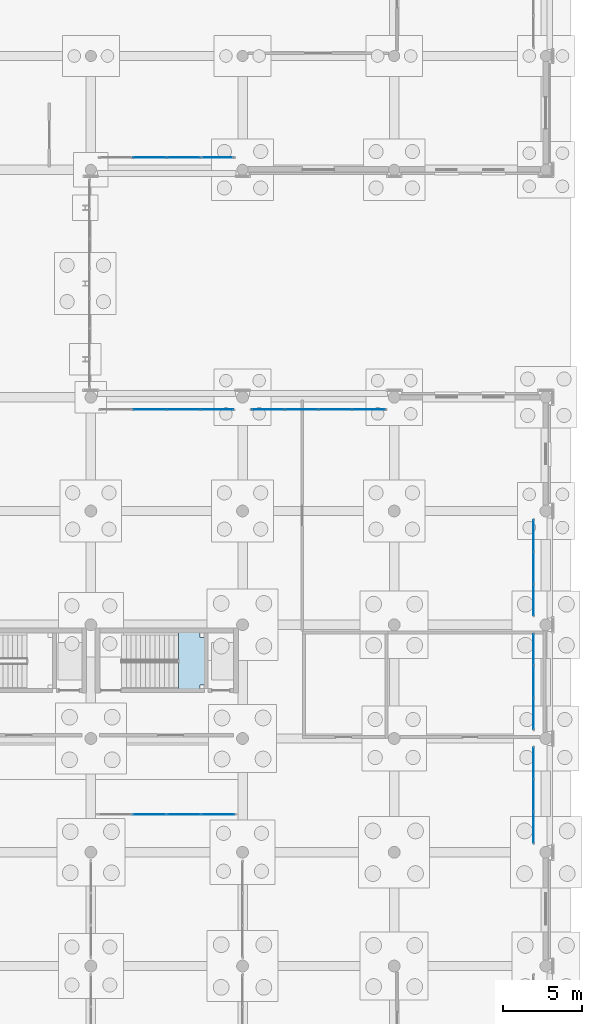
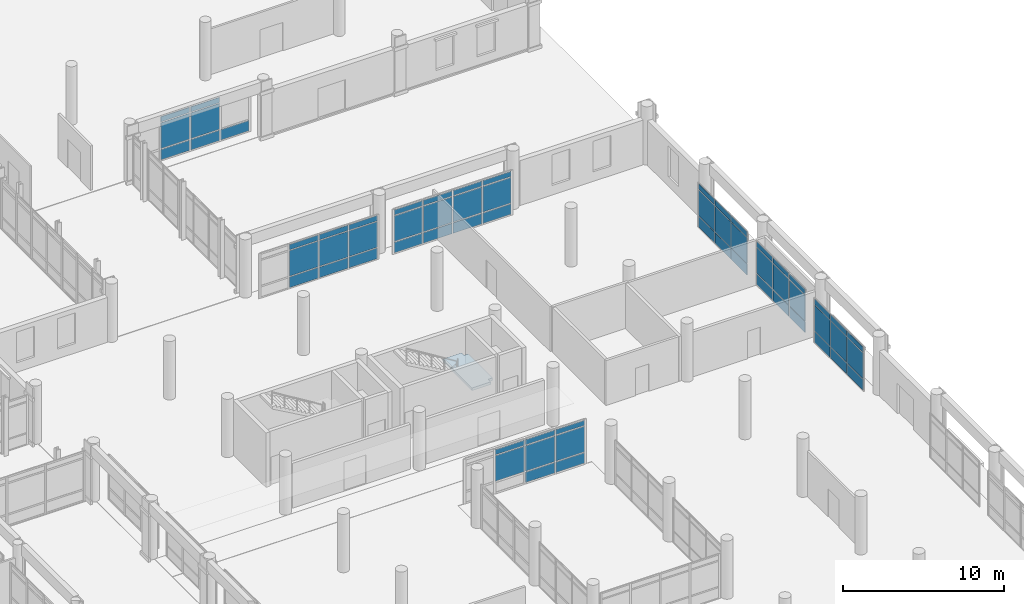
# One storey, part 156 of 196: 63 plates, 1 slab, 8 elements without a shape of their own.
"""IFC4 building model written with IfcOpenShell, lengths in metres."""

from ifc_helpers import new_model, si_unit, direction, frame, origin, origin_2d, place, context, subcontext, project, spatial, polyline, rectangle, outline, extrude, material, layer, layer_set, type_object, element, aggregate, save


model = new_model("IFC4")

# Units and contexts
model_context = context("Model", 3, precision=1e-05, world=origin(), true_north=direction((0.0, 1.0)))
body_context = subcontext(model_context, "Body", "Model", "MODEL_VIEW")
ifc_project = project(units=[si_unit("LENGTHUNIT", "METRE"), si_unit("AREAUNIT", "SQUARE_METRE"), si_unit("VOLUMEUNIT", "CUBIC_METRE"), si_unit("PLANEANGLEUNIT", "RADIAN"), si_unit("MASSUNIT", "GRAM", prefix="KILO")], contexts=[model_context])

# Site, building, storey
site_placement = place(None, origin())
site = spatial("IfcSite", under=ifc_project, at=site_placement, CompositionType="ELEMENT")
building_placement = place(site_placement, origin())
building = spatial("IfcBuilding", under=site, at=building_placement, Name="Asteropetra Specialist Clinic", CompositionType="ELEMENT")
storey_placement = place(building_placement, origin())
storey = spatial("IfcBuildingStorey", under=building, at=storey_placement, Name="L00", CompositionType="ELEMENT", Elevation=0.0)

# Curtain wall, plates
ifc_material_1 = material(Name="Aluminium and low-E glass", Category="aluminium")
ifc_layer_1 = layer(ifc_material_1, 0.135009765625)
ifc_layer_set_1 = layer_set([ifc_layer_1], Name="Aluminium and low-E glass")
curtain_wall_type_1 = type_object("IfcCurtainWallType", Name="CW-SYS-09", PredefinedType="USERDEFINED", material=ifc_layer_set_1)
curtain_wall_1_placement = place(storey_placement, origin())
curtain_wall_1 = element("IfcCurtainWall", 1, at=curtain_wall_1_placement, inside=storey, type_object=curtain_wall_type_1, Name="Curtain Wall CW-193", ObjectType="STICK GLAZED COLONNADE", PredefinedType="USERDEFINED")
ifc_material_2 = material(Name="Low-E acoustic double glazing", Category="glass")
ifc_layer_2 = layer(ifc_material_2, 0.031982421875)
ifc_layer_set_2 = layer_set([ifc_layer_2], Name="Low-E acoustic double glazing")
plate_type_1 = type_object("IfcPlateType", Name="CWP-GLZ-32", PredefinedType="CURTAIN_PANEL", material=ifc_layer_set_2)
plate_1_placement = place(storey_placement, frame((132.782470703125, 61.6201171875, 0.06494140625), z_axis=(0.0, 0.0, 1.0), x_axis=(-1.0, 0.0, 0.0)))
plate_1 = element("IfcPlate", 2, at=plate_1_placement, type_object=plate_type_1, Name="CW-193 panel 1.1", PredefinedType="CURTAIN_PANEL", context=body_context, shape_type="SweptSolid", body=[
    extrude(rectangle(XDim=2.034912109375, YDim=0.031982421875, at=origin_2d()), origin(), (0.0, 0.0, 1.0), 0.802490234375),
])
plate_2_placement = place(storey_placement, frame((132.782470703125, 61.6201171875, 0.932373046875), z_axis=(0.0, 0.0, 1.0), x_axis=(-1.0, 0.0, 0.0)))
plate_2 = element("IfcPlate", 3, at=plate_2_placement, type_object=plate_type_1, Name="CW-193 panel 1.2", PredefinedType="CURTAIN_PANEL", context=body_context, shape_type="SweptSolid", body=[
    extrude(rectangle(XDim=2.034912109375, YDim=0.031982421875, at=origin_2d()), origin(), (0.0, 0.0, 1.0), 1.93505859375),
])
plate_3_placement = place(storey_placement, frame((132.782470703125, 61.6201171875, 2.9326171875), z_axis=(0.0, 0.0, 1.0), x_axis=(-1.0, 0.0, 0.0)))
plate_3 = element("IfcPlate", 4, at=plate_3_placement, type_object=plate_type_1, Name="CW-193 panel 1.3", PredefinedType="CURTAIN_PANEL", context=body_context, shape_type="SweptSolid", body=[
    extrude(rectangle(XDim=2.034912109375, YDim=0.031982421875, at=origin_2d()), origin(), (0.0, 0.0, 1.0), 0.402587890625),
])
plate_4_placement = place(storey_placement, frame((130.666259765625, 61.6201171875, 0.06494140625), z_axis=(0.0, 0.0, 1.0), x_axis=(-1.0, 0.0, 0.0)))
plate_4 = element("IfcPlate", 5, at=plate_4_placement, type_object=plate_type_1, Name="CW-193 panel 2.1", PredefinedType="CURTAIN_PANEL", context=body_context, shape_type="SweptSolid", body=[
    extrude(rectangle(XDim=2.0673828125, YDim=0.031982421875, at=origin_2d()), origin(), (0.0, 0.0, 1.0), 0.802490234375),
])
plate_5_placement = place(storey_placement, frame((130.666259765625, 61.6201171875, 0.932373046875), z_axis=(0.0, 0.0, 1.0), x_axis=(-1.0, 0.0, 0.0)))
plate_5 = element("IfcPlate", 6, at=plate_5_placement, type_object=plate_type_1, Name="CW-193 panel 2.2", PredefinedType="CURTAIN_PANEL", context=body_context, shape_type="SweptSolid", body=[
    extrude(rectangle(XDim=2.0673828125, YDim=0.031982421875, at=origin_2d()), origin(), (0.0, 0.0, 1.0), 1.93505859375),
])
plate_6_placement = place(storey_placement, frame((130.666259765625, 61.6201171875, 2.9326171875), z_axis=(0.0, 0.0, 1.0), x_axis=(-1.0, 0.0, 0.0)))
plate_6 = element("IfcPlate", 7, at=plate_6_placement, type_object=plate_type_1, Name="CW-193 panel 2.3", PredefinedType="CURTAIN_PANEL", context=body_context, shape_type="SweptSolid", body=[
    extrude(rectangle(XDim=2.0673828125, YDim=0.031982421875, at=origin_2d()), origin(), (0.0, 0.0, 1.0), 0.402587890625),
])
plate_7_placement = place(storey_placement, frame((128.53369140625, 61.6201171875, 0.06494140625), z_axis=(0.0, 0.0, 1.0), x_axis=(-1.0, 0.0, 0.0)))
plate_7 = element("IfcPlate", 8, at=plate_7_placement, type_object=plate_type_1, Name="CW-193 panel 3.1", PredefinedType="CURTAIN_PANEL", context=body_context, shape_type="SweptSolid", body=[
    extrude(rectangle(XDim=2.0673828125, YDim=0.031982421875, at=origin_2d()), origin(), (0.0, 0.0, 1.0), 0.802490234375),
])
plate_8_placement = place(storey_placement, frame((128.53369140625, 61.6201171875, 0.932373046875), z_axis=(0.0, 0.0, 1.0), x_axis=(-1.0, 0.0, 0.0)))
plate_8 = element("IfcPlate", 9, at=plate_8_placement, type_object=plate_type_1, Name="CW-193 panel 3.2", PredefinedType="CURTAIN_PANEL", context=body_context, shape_type="SweptSolid", body=[
    extrude(rectangle(XDim=2.0673828125, YDim=0.031982421875, at=origin_2d()), origin(), (0.0, 0.0, 1.0), 1.93505859375),
])
plate_9_placement = place(storey_placement, frame((128.53369140625, 61.6201171875, 2.9326171875), z_axis=(0.0, 0.0, 1.0), x_axis=(-1.0, 0.0, 0.0)))
plate_9 = element("IfcPlate", 10, at=plate_9_placement, type_object=plate_type_1, Name="CW-193 panel 3.3", PredefinedType="CURTAIN_PANEL", context=body_context, shape_type="SweptSolid", body=[
    extrude(rectangle(XDim=2.0673828125, YDim=0.031982421875, at=origin_2d()), origin(), (0.0, 0.0, 1.0), 0.402587890625),
])
aggregate(curtain_wall_1, [plate_1, plate_2, plate_3, plate_4, plate_5, plate_6, plate_7, plate_8, plate_9])

ifc_material_3 = material(Name="Aluminium and low-E glass", Category="aluminium")
ifc_layer_3 = layer(ifc_material_3, 0.179931640625)
ifc_layer_set_3 = layer_set([ifc_layer_3], Name="Aluminium and low-E glass")
curtain_wall_type_2 = type_object("IfcCurtainWallType", Name="CW-SYS-10", PredefinedType="USERDEFINED", material=ifc_layer_set_3)
curtain_wall_2_placement = place(storey_placement, origin())
curtain_wall_2 = element("IfcCurtainWall", 11, at=curtain_wall_2_placement, inside=storey, type_object=curtain_wall_type_2, Name="Curtain Wall CW-205", ObjectType="STICK GLAZED COLONNADE", PredefinedType="USERDEFINED")
plate_10_placement = place(storey_placement, frame((152.820068359375, 42.372802734375, 0.06494140625), z_axis=(0.0, 0.0, 1.0), x_axis=(0.0, 1.0, 0.0)))
plate_10 = element("IfcPlate", 12, at=plate_10_placement, type_object=plate_type_1, Name="CW-205 panel 1.1", PredefinedType="CURTAIN_PANEL", context=body_context, shape_type="SweptSolid", body=[
    extrude(rectangle(XDim=1.94580078125, YDim=0.031982421875, at=origin_2d()), origin(), (0.0, 0.0, 1.0), 0.802490234375),
])
plate_11_placement = place(storey_placement, frame((152.820068359375, 42.372802734375, 0.932373046875), z_axis=(0.0, 0.0, 1.0), x_axis=(0.0, 1.0, 0.0)))
plate_11 = element("IfcPlate", 13, at=plate_11_placement, type_object=plate_type_1, Name="CW-205 panel 1.2", PredefinedType="CURTAIN_PANEL", context=body_context, shape_type="SweptSolid", body=[
    extrude(rectangle(XDim=1.94580078125, YDim=0.031982421875, at=origin_2d()), origin(), (0.0, 0.0, 1.0), 1.93505859375),
])
plate_12_placement = place(storey_placement, frame((152.820068359375, 42.372802734375, 2.9326171875), z_axis=(0.0, 0.0, 1.0), x_axis=(0.0, 1.0, 0.0)))
plate_12 = element("IfcPlate", 14, at=plate_12_placement, type_object=plate_type_1, Name="CW-205 panel 1.3", PredefinedType="CURTAIN_PANEL", context=body_context, shape_type="SweptSolid", body=[
    extrude(rectangle(XDim=1.94580078125, YDim=0.031982421875, at=origin_2d()), origin(), (0.0, 0.0, 1.0), 0.402587890625),
])
plate_13_placement = place(storey_placement, frame((152.820068359375, 44.39990234375, 0.06494140625), z_axis=(0.0, 0.0, 1.0), x_axis=(0.0, 1.0, 0.0)))
plate_13 = element("IfcPlate", 15, at=plate_13_placement, type_object=plate_type_1, Name="CW-205 panel 2.1", PredefinedType="CURTAIN_PANEL", context=body_context, shape_type="SweptSolid", body=[
    extrude(rectangle(XDim=1.978271484375, YDim=0.031982421875, at=origin_2d()), origin(), (0.0, 0.0, 1.0), 0.802490234375),
])
plate_14_placement = place(storey_placement, frame((152.820068359375, 44.39990234375, 0.932373046875), z_axis=(0.0, 0.0, 1.0), x_axis=(0.0, 1.0, 0.0)))
plate_14 = element("IfcPlate", 16, at=plate_14_placement, type_object=plate_type_1, Name="CW-205 panel 2.2", PredefinedType="CURTAIN_PANEL", context=body_context, shape_type="SweptSolid", body=[
    extrude(rectangle(XDim=1.978271484375, YDim=0.031982421875, at=origin_2d()), origin(), (0.0, 0.0, 1.0), 1.93505859375),
])
plate_15_placement = place(storey_placement, frame((152.820068359375, 44.39990234375, 2.9326171875), z_axis=(0.0, 0.0, 1.0), x_axis=(0.0, 1.0, 0.0)))
plate_15 = element("IfcPlate", 17, at=plate_15_placement, type_object=plate_type_1, Name="CW-205 panel 2.3", PredefinedType="CURTAIN_PANEL", context=body_context, shape_type="SweptSolid", body=[
    extrude(rectangle(XDim=1.978271484375, YDim=0.031982421875, at=origin_2d()), origin(), (0.0, 0.0, 1.0), 0.402587890625),
])
plate_16_placement = place(storey_placement, frame((152.820068359375, 46.427001953125, 0.06494140625), z_axis=(0.0, 0.0, 1.0), x_axis=(0.0, 1.0, 0.0)))
plate_16 = element("IfcPlate", 18, at=plate_16_placement, type_object=plate_type_1, Name="CW-205 panel 3.1", PredefinedType="CURTAIN_PANEL", context=body_context, shape_type="SweptSolid", body=[
    extrude(rectangle(XDim=1.94580078125, YDim=0.031982421875, at=origin_2d()), origin(), (0.0, 0.0, 1.0), 0.802490234375),
])
plate_17_placement = place(storey_placement, frame((152.820068359375, 46.427001953125, 0.932373046875), z_axis=(0.0, 0.0, 1.0), x_axis=(0.0, 1.0, 0.0)))
plate_17 = element("IfcPlate", 19, at=plate_17_placement, type_object=plate_type_1, Name="CW-205 panel 3.2", PredefinedType="CURTAIN_PANEL", context=body_context, shape_type="SweptSolid", body=[
    extrude(rectangle(XDim=1.94580078125, YDim=0.031982421875, at=origin_2d()), origin(), (0.0, 0.0, 1.0), 1.93505859375),
])
plate_18_placement = place(storey_placement, frame((152.820068359375, 46.427001953125, 2.9326171875), z_axis=(0.0, 0.0, 1.0), x_axis=(0.0, 1.0, 0.0)))
plate_18 = element("IfcPlate", 20, at=plate_18_placement, type_object=plate_type_1, Name="CW-205 panel 3.3", PredefinedType="CURTAIN_PANEL", context=body_context, shape_type="SweptSolid", body=[
    extrude(rectangle(XDim=1.94580078125, YDim=0.031982421875, at=origin_2d()), origin(), (0.0, 0.0, 1.0), 0.402587890625),
])
aggregate(curtain_wall_2, [plate_10, plate_11, plate_12, plate_13, plate_14, plate_15, plate_16, plate_17, plate_18])

curtain_wall_3_placement = place(storey_placement, origin())
curtain_wall_3 = element("IfcCurtainWall", 21, at=curtain_wall_3_placement, inside=storey, type_object=curtain_wall_type_1, Name="Curtain Wall CW-066", ObjectType="STICK GLAZED COLONNADE", PredefinedType="USERDEFINED")
ifc_material_4 = material(Name="Solar-control triple glazing", Category="glass")
ifc_layer_4 = layer(ifc_material_4, 0.035888671875)
ifc_layer_set_4 = layer_set([ifc_layer_4], Name="Solar-control triple glazing")
plate_type_2 = type_object("IfcPlateType", Name="CWP-GLZ-36", PredefinedType="CURTAIN_PANEL", material=ifc_layer_set_4)
plate_19_placement = place(storey_placement, frame((132.851318359375, 36.0, 0.074951171875), z_axis=(0.0, 0.0, 1.0), x_axis=(-1.0, 0.0, 0.0)))
plate_19 = element("IfcPlate", 22, at=plate_19_placement, type_object=plate_type_2, Name="CW-066 panel 1.1", PredefinedType="CURTAIN_PANEL", context=body_context, shape_type="SweptSolid", body=[
    extrude(rectangle(XDim=2.0673828125, YDim=0.035888671875, at=origin_2d()), origin(), (0.0, 0.0, 1.0), 0.78759765625),
])
plate_20_placement = place(storey_placement, frame((132.851318359375, 36.0, 0.9375), z_axis=(0.0, 0.0, 1.0), x_axis=(-1.0, 0.0, 0.0)))
plate_20 = element("IfcPlate", 23, at=plate_20_placement, type_object=plate_type_2, Name="CW-066 panel 1.2", PredefinedType="CURTAIN_PANEL", context=body_context, shape_type="SweptSolid", body=[
    extrude(rectangle(XDim=2.0673828125, YDim=0.035888671875, at=origin_2d()), origin(), (0.0, 0.0, 1.0), 1.925048828125),
])
plate_21_placement = place(storey_placement, frame((132.851318359375, 36.0, 2.9375), z_axis=(0.0, 0.0, 1.0), x_axis=(-1.0, 0.0, 0.0)))
plate_21 = element("IfcPlate", 24, at=plate_21_placement, type_object=plate_type_2, Name="CW-066 panel 1.3", PredefinedType="CURTAIN_PANEL", context=body_context, shape_type="SweptSolid", body=[
    extrude(rectangle(XDim=2.0673828125, YDim=0.035888671875, at=origin_2d()), origin(), (0.0, 0.0, 1.0), 0.387451171875),
])
plate_22_placement = place(storey_placement, frame((130.68994140625, 36.0, 0.074951171875), z_axis=(0.0, 0.0, 1.0), x_axis=(-1.0, 0.0, 0.0)))
plate_22 = element("IfcPlate", 25, at=plate_22_placement, type_object=plate_type_2, Name="CW-066 panel 2.1", PredefinedType="CURTAIN_PANEL", context=body_context, shape_type="SweptSolid", body=[
    extrude(rectangle(XDim=2.10498046875, YDim=0.035888671875, at=origin_2d()), origin(), (0.0, 0.0, 1.0), 0.78759765625),
])
plate_23_placement = place(storey_placement, frame((130.68994140625, 36.0, 0.9375), z_axis=(0.0, 0.0, 1.0), x_axis=(-1.0, 0.0, 0.0)))
plate_23 = element("IfcPlate", 26, at=plate_23_placement, type_object=plate_type_2, Name="CW-066 panel 2.2", PredefinedType="CURTAIN_PANEL", context=body_context, shape_type="SweptSolid", body=[
    extrude(rectangle(XDim=2.10498046875, YDim=0.035888671875, at=origin_2d()), origin(), (0.0, 0.0, 1.0), 1.925048828125),
])
plate_24_placement = place(storey_placement, frame((130.68994140625, 36.0, 2.9375), z_axis=(0.0, 0.0, 1.0), x_axis=(-1.0, 0.0, 0.0)))
plate_24 = element("IfcPlate", 27, at=plate_24_placement, type_object=plate_type_2, Name="CW-066 panel 2.3", PredefinedType="CURTAIN_PANEL", context=body_context, shape_type="SweptSolid", body=[
    extrude(rectangle(XDim=2.10498046875, YDim=0.035888671875, at=origin_2d()), origin(), (0.0, 0.0, 1.0), 0.387451171875),
])
plate_25_placement = place(storey_placement, frame((128.510009765625, 36.0, 0.9375), z_axis=(0.0, 0.0, 1.0), x_axis=(-1.0, 0.0, 0.0)))
plate_25 = element("IfcPlate", 28, at=plate_25_placement, type_object=plate_type_2, Name="CW-066 panel 3.2", PredefinedType="CURTAIN_PANEL", context=body_context, shape_type="SweptSolid", body=[
    extrude(rectangle(XDim=2.10498046875, YDim=0.035888671875, at=origin_2d()), origin(), (0.0, 0.0, 1.0), 1.925048828125),
])
plate_26_placement = place(storey_placement, frame((128.510009765625, 36.0, 2.9375), z_axis=(0.0, 0.0, 1.0), x_axis=(-1.0, 0.0, 0.0)))
plate_26 = element("IfcPlate", 29, at=plate_26_placement, type_object=plate_type_2, Name="CW-066 panel 3.3", PredefinedType="CURTAIN_PANEL", context=body_context, shape_type="SweptSolid", body=[
    extrude(rectangle(XDim=2.10498046875, YDim=0.035888671875, at=origin_2d()), origin(), (0.0, 0.0, 1.0), 0.387451171875),
])
aggregate(curtain_wall_3, [plate_19, plate_20, plate_21, plate_22, plate_23, plate_24, plate_25, plate_26])

curtain_wall_4_placement = place(storey_placement, origin())
curtain_wall_4 = element("IfcCurtainWall", 30, at=curtain_wall_4_placement, inside=storey, type_object=curtain_wall_type_2, Name="Curtain Wall CW-206", ObjectType="STICK GLAZED COLONNADE", PredefinedType="USERDEFINED")
plate_27_placement = place(storey_placement, frame((152.820068359375, 49.57177734375, 0.06005859375), z_axis=(0.0, 0.0, 1.0), x_axis=(0.0, 1.0, 0.0)))
plate_27 = element("IfcPlate", 31, at=plate_27_placement, type_object=plate_type_2, Name="CW-206 panel 1.1", PredefinedType="CURTAIN_PANEL", context=body_context, shape_type="SweptSolid", body=[
    extrude(rectangle(XDim=1.953369140625, YDim=0.035888671875, at=origin_2d()), origin(), (0.0, 0.0, 1.0), 0.81005859375),
])
plate_28_placement = place(storey_placement, frame((152.820068359375, 49.57177734375, 0.929931640625), z_axis=(0.0, 0.0, 1.0), x_axis=(0.0, 1.0, 0.0)))
plate_28 = element("IfcPlate", 32, at=plate_28_placement, type_object=plate_type_2, Name="CW-206 panel 1.2", PredefinedType="CURTAIN_PANEL", context=body_context, shape_type="SweptSolid", body=[
    extrude(rectangle(XDim=1.953369140625, YDim=0.035888671875, at=origin_2d()), origin(), (0.0, 0.0, 1.0), 1.93994140625),
])
plate_29_placement = place(storey_placement, frame((152.820068359375, 49.57177734375, 2.93017578125), z_axis=(0.0, 0.0, 1.0), x_axis=(0.0, 1.0, 0.0)))
plate_29 = element("IfcPlate", 33, at=plate_29_placement, type_object=plate_type_2, Name="CW-206 panel 1.3", PredefinedType="CURTAIN_PANEL", context=body_context, shape_type="SweptSolid", body=[
    extrude(rectangle(XDim=1.953369140625, YDim=0.035888671875, at=origin_2d()), origin(), (0.0, 0.0, 1.0), 0.409912109375),
])
plate_30_placement = place(storey_placement, frame((152.820068359375, 51.60009765625, 0.06005859375), z_axis=(0.0, 0.0, 1.0), x_axis=(0.0, 1.0, 0.0)))
plate_30 = element("IfcPlate", 34, at=plate_30_placement, type_object=plate_type_2, Name="CW-206 panel 2.1", PredefinedType="CURTAIN_PANEL", context=body_context, shape_type="SweptSolid", body=[
    extrude(rectangle(XDim=1.9833984375, YDim=0.035888671875, at=origin_2d()), origin(), (0.0, 0.0, 1.0), 0.81005859375),
])
plate_31_placement = place(storey_placement, frame((152.820068359375, 51.60009765625, 0.929931640625), z_axis=(0.0, 0.0, 1.0), x_axis=(0.0, 1.0, 0.0)))
plate_31 = element("IfcPlate", 35, at=plate_31_placement, type_object=plate_type_2, Name="CW-206 panel 2.2", PredefinedType="CURTAIN_PANEL", context=body_context, shape_type="SweptSolid", body=[
    extrude(rectangle(XDim=1.9833984375, YDim=0.035888671875, at=origin_2d()), origin(), (0.0, 0.0, 1.0), 1.93994140625),
])
plate_32_placement = place(storey_placement, frame((152.820068359375, 51.60009765625, 2.93017578125), z_axis=(0.0, 0.0, 1.0), x_axis=(0.0, 1.0, 0.0)))
plate_32 = element("IfcPlate", 36, at=plate_32_placement, type_object=plate_type_2, Name="CW-206 panel 2.3", PredefinedType="CURTAIN_PANEL", context=body_context, shape_type="SweptSolid", body=[
    extrude(rectangle(XDim=1.9833984375, YDim=0.035888671875, at=origin_2d()), origin(), (0.0, 0.0, 1.0), 0.409912109375),
])
plate_33_placement = place(storey_placement, frame((152.820068359375, 53.62841796875, 0.06005859375), z_axis=(0.0, 0.0, 1.0), x_axis=(0.0, 1.0, 0.0)))
plate_33 = element("IfcPlate", 37, at=plate_33_placement, type_object=plate_type_2, Name="CW-206 panel 3.1", PredefinedType="CURTAIN_PANEL", context=body_context, shape_type="SweptSolid", body=[
    extrude(rectangle(XDim=1.953369140625, YDim=0.035888671875, at=origin_2d()), origin(), (0.0, 0.0, 1.0), 0.81005859375),
])
plate_34_placement = place(storey_placement, frame((152.820068359375, 53.62841796875, 0.929931640625), z_axis=(0.0, 0.0, 1.0), x_axis=(0.0, 1.0, 0.0)))
plate_34 = element("IfcPlate", 38, at=plate_34_placement, type_object=plate_type_2, Name="CW-206 panel 3.2", PredefinedType="CURTAIN_PANEL", context=body_context, shape_type="SweptSolid", body=[
    extrude(rectangle(XDim=1.953369140625, YDim=0.035888671875, at=origin_2d()), origin(), (0.0, 0.0, 1.0), 1.93994140625),
])
plate_35_placement = place(storey_placement, frame((152.820068359375, 53.62841796875, 2.93017578125), z_axis=(0.0, 0.0, 1.0), x_axis=(0.0, 1.0, 0.0)))
plate_35 = element("IfcPlate", 39, at=plate_35_placement, type_object=plate_type_2, Name="CW-206 panel 3.3", PredefinedType="CURTAIN_PANEL", context=body_context, shape_type="SweptSolid", body=[
    extrude(rectangle(XDim=1.953369140625, YDim=0.035888671875, at=origin_2d()), origin(), (0.0, 0.0, 1.0), 0.409912109375),
])
aggregate(curtain_wall_4, [plate_27, plate_28, plate_29, plate_30, plate_31, plate_32, plate_33, plate_34, plate_35])

curtain_wall_5_placement = place(storey_placement, origin())
curtain_wall_5 = element("IfcCurtainWall", 40, at=curtain_wall_5_placement, inside=storey, type_object=curtain_wall_type_1, Name="Curtain Wall CW-210", ObjectType="STICK GLAZED COLONNADE", PredefinedType="USERDEFINED")
plate_36_placement = place(storey_placement, frame((128.527587890625, 77.580078125, 0.074951171875), z_axis=(0.0, 0.0, 1.0), x_axis=(1.0, 0.0, 0.0)))
plate_36 = element("IfcPlate", 41, at=plate_36_placement, type_object=plate_type_2, Name="CW-210 panel 2.1", PredefinedType="CURTAIN_PANEL", context=body_context, shape_type="SweptSolid", body=[
    extrude(rectangle(XDim=2.070068359375, YDim=0.035888671875, at=origin_2d()), origin(), (0.0, 0.0, 1.0), 0.78759765625),
])
plate_37_placement = place(storey_placement, frame((128.527587890625, 77.580078125, 0.9375), z_axis=(0.0, 0.0, 1.0), x_axis=(1.0, 0.0, 0.0)))
plate_37 = element("IfcPlate", 42, at=plate_37_placement, type_object=plate_type_2, Name="CW-210 panel 2.2", PredefinedType="CURTAIN_PANEL", context=body_context, shape_type="SweptSolid", body=[
    extrude(rectangle(XDim=2.070068359375, YDim=0.035888671875, at=origin_2d()), origin(), (0.0, 0.0, 1.0), 1.945068359375),
])
plate_38_placement = place(storey_placement, frame((128.527587890625, 77.580078125, 2.95751953125), z_axis=(0.0, 0.0, 1.0), x_axis=(1.0, 0.0, 0.0)))
plate_38 = element("IfcPlate", 43, at=plate_38_placement, type_object=plate_type_2, Name="CW-210 panel 2.3", PredefinedType="CURTAIN_PANEL", context=body_context, shape_type="SweptSolid", body=[
    extrude(rectangle(XDim=2.070068359375, YDim=0.035888671875, at=origin_2d()), origin(), (0.0, 0.0, 1.0), 0.387451171875),
])
plate_39_placement = place(storey_placement, frame((130.672607421875, 77.580078125, 0.074951171875), z_axis=(0.0, 0.0, 1.0), x_axis=(1.0, 0.0, 0.0)))
plate_39 = element("IfcPlate", 44, at=plate_39_placement, type_object=plate_type_2, Name="CW-210 panel 3.1", PredefinedType="CURTAIN_PANEL", context=body_context, shape_type="SweptSolid", body=[
    extrude(rectangle(XDim=2.070068359375, YDim=0.035888671875, at=origin_2d()), origin(), (0.0, 0.0, 1.0), 0.78759765625),
])
plate_40_placement = place(storey_placement, frame((130.672607421875, 77.580078125, 0.9375), z_axis=(0.0, 0.0, 1.0), x_axis=(1.0, 0.0, 0.0)))
plate_40 = element("IfcPlate", 45, at=plate_40_placement, type_object=plate_type_2, Name="CW-210 panel 3.2", PredefinedType="CURTAIN_PANEL", context=body_context, shape_type="SweptSolid", body=[
    extrude(rectangle(XDim=2.070068359375, YDim=0.035888671875, at=origin_2d()), origin(), (0.0, 0.0, 1.0), 1.945068359375),
])
plate_41_placement = place(storey_placement, frame((130.672607421875, 77.580078125, 2.95751953125), z_axis=(0.0, 0.0, 1.0), x_axis=(1.0, 0.0, 0.0)))
plate_41 = element("IfcPlate", 46, at=plate_41_placement, type_object=plate_type_2, Name="CW-210 panel 3.3", PredefinedType="CURTAIN_PANEL", context=body_context, shape_type="SweptSolid", body=[
    extrude(rectangle(XDim=2.070068359375, YDim=0.035888671875, at=origin_2d()), origin(), (0.0, 0.0, 1.0), 0.387451171875),
])
plate_42_placement = place(storey_placement, frame((132.798828125, 77.580078125, 0.074951171875), z_axis=(0.0, 0.0, 1.0), x_axis=(1.0, 0.0, 0.0)))
plate_42 = element("IfcPlate", 47, at=plate_42_placement, type_object=plate_type_2, Name="CW-210 panel 4.1", PredefinedType="CURTAIN_PANEL", context=body_context, shape_type="SweptSolid", body=[
    extrude(rectangle(XDim=2.032470703125, YDim=0.035888671875, at=origin_2d()), origin(), (0.0, 0.0, 1.0), 0.78759765625),
])
aggregate(curtain_wall_5, [plate_36, plate_37, plate_38, plate_39, plate_40, plate_41, plate_42])

ifc_material_5 = material(Name="Aluminium and low-E glass", Category="aluminium")
ifc_layer_5 = layer(ifc_material_5, 0.14990234375)
ifc_layer_set_5 = layer_set([ifc_layer_5], Name="Aluminium and low-E glass")
curtain_wall_type_3 = type_object("IfcCurtainWallType", Name="CW-SYS-11", PredefinedType="USERDEFINED", material=ifc_layer_set_5)
curtain_wall_6_placement = place(storey_placement, origin())
curtain_wall_6 = element("IfcCurtainWall", 48, at=curtain_wall_6_placement, inside=storey, type_object=curtain_wall_type_3, Name="Curtain Wall CW-195", ObjectType="STICK GLAZED COLONNADE", PredefinedType="USERDEFINED")
ifc_material_6 = material(Name="Laminated skylight glazing", Category="glass")
ifc_layer_6 = layer(ifc_material_6, 0.0400390625)
ifc_layer_set_6 = layer_set([ifc_layer_6], Name="Laminated skylight glazing")
plate_type_3 = type_object("IfcPlateType", Name="CWP-GLZ-40", PredefinedType="CURTAIN_PANEL", material=ifc_layer_set_6)
plate_43_placement = place(storey_placement, frame((142.3798828125, 61.6201171875, 0.074951171875), z_axis=(0.0, 0.0, 1.0), x_axis=(-1.0, 0.0, 0.0)))
plate_43 = element("IfcPlate", 49, at=plate_43_placement, type_object=plate_type_3, Name="CW-195 panel 1.1", PredefinedType="CURTAIN_PANEL", context=body_context, shape_type="SweptSolid", body=[
    extrude(rectangle(XDim=2.02001953125, YDim=0.0400390625, at=origin_2d()), origin(), (0.0, 0.0, 1.0), 0.78759765625),
])
plate_44_placement = place(storey_placement, frame((142.3798828125, 61.6201171875, 0.9375), z_axis=(0.0, 0.0, 1.0), x_axis=(-1.0, 0.0, 0.0)))
plate_44 = element("IfcPlate", 50, at=plate_44_placement, type_object=plate_type_3, Name="CW-195 panel 1.2", PredefinedType="CURTAIN_PANEL", context=body_context, shape_type="SweptSolid", body=[
    extrude(rectangle(XDim=2.02001953125, YDim=0.0400390625, at=origin_2d()), origin(), (0.0, 0.0, 1.0), 1.925048828125),
])
plate_45_placement = place(storey_placement, frame((142.3798828125, 61.6201171875, 2.9375), z_axis=(0.0, 0.0, 1.0), x_axis=(-1.0, 0.0, 0.0)))
plate_45 = element("IfcPlate", 51, at=plate_45_placement, type_object=plate_type_3, Name="CW-195 panel 1.3", PredefinedType="CURTAIN_PANEL", context=body_context, shape_type="SweptSolid", body=[
    extrude(rectangle(XDim=2.02001953125, YDim=0.0400390625, at=origin_2d()), origin(), (0.0, 0.0, 1.0), 0.387451171875),
])
plate_46_placement = place(storey_placement, frame((140.266357421875, 61.6201171875, 0.074951171875), z_axis=(0.0, 0.0, 1.0), x_axis=(-1.0, 0.0, 0.0)))
plate_46 = element("IfcPlate", 52, at=plate_46_placement, type_object=plate_type_3, Name="CW-195 panel 2.1", PredefinedType="CURTAIN_PANEL", context=body_context, shape_type="SweptSolid", body=[
    extrude(rectangle(XDim=2.0576171875, YDim=0.0400390625, at=origin_2d()), origin(), (0.0, 0.0, 1.0), 0.78759765625),
])
plate_47_placement = place(storey_placement, frame((140.266357421875, 61.6201171875, 0.9375), z_axis=(0.0, 0.0, 1.0), x_axis=(-1.0, 0.0, 0.0)))
plate_47 = element("IfcPlate", 53, at=plate_47_placement, type_object=plate_type_3, Name="CW-195 panel 2.2", PredefinedType="CURTAIN_PANEL", context=body_context, shape_type="SweptSolid", body=[
    extrude(rectangle(XDim=2.0576171875, YDim=0.0400390625, at=origin_2d()), origin(), (0.0, 0.0, 1.0), 1.925048828125),
])
plate_48_placement = place(storey_placement, frame((140.266357421875, 61.6201171875, 2.9375), z_axis=(0.0, 0.0, 1.0), x_axis=(-1.0, 0.0, 0.0)))
plate_48 = element("IfcPlate", 54, at=plate_48_placement, type_object=plate_type_3, Name="CW-195 panel 2.3", PredefinedType="CURTAIN_PANEL", context=body_context, shape_type="SweptSolid", body=[
    extrude(rectangle(XDim=2.0576171875, YDim=0.0400390625, at=origin_2d()), origin(), (0.0, 0.0, 1.0), 0.387451171875),
])
plate_49_placement = place(storey_placement, frame((138.1337890625, 61.6201171875, 0.074951171875), z_axis=(0.0, 0.0, 1.0), x_axis=(-1.0, 0.0, 0.0)))
plate_49 = element("IfcPlate", 55, at=plate_49_placement, type_object=plate_type_3, Name="CW-195 panel 3.1", PredefinedType="CURTAIN_PANEL", context=body_context, shape_type="SweptSolid", body=[
    extrude(rectangle(XDim=2.0576171875, YDim=0.0400390625, at=origin_2d()), origin(), (0.0, 0.0, 1.0), 0.78759765625),
])
plate_50_placement = place(storey_placement, frame((138.1337890625, 61.6201171875, 0.9375), z_axis=(0.0, 0.0, 1.0), x_axis=(-1.0, 0.0, 0.0)))
plate_50 = element("IfcPlate", 56, at=plate_50_placement, type_object=plate_type_3, Name="CW-195 panel 3.2", PredefinedType="CURTAIN_PANEL", context=body_context, shape_type="SweptSolid", body=[
    extrude(rectangle(XDim=2.0576171875, YDim=0.0400390625, at=origin_2d()), origin(), (0.0, 0.0, 1.0), 1.925048828125),
])
plate_51_placement = place(storey_placement, frame((138.1337890625, 61.6201171875, 2.9375), z_axis=(0.0, 0.0, 1.0), x_axis=(-1.0, 0.0, 0.0)))
plate_51 = element("IfcPlate", 57, at=plate_51_placement, type_object=plate_type_3, Name="CW-195 panel 3.3", PredefinedType="CURTAIN_PANEL", context=body_context, shape_type="SweptSolid", body=[
    extrude(rectangle(XDim=2.0576171875, YDim=0.0400390625, at=origin_2d()), origin(), (0.0, 0.0, 1.0), 0.387451171875),
])
plate_52_placement = place(storey_placement, frame((136.02001953125, 61.6201171875, 0.074951171875), z_axis=(0.0, 0.0, 1.0), x_axis=(-1.0, 0.0, 0.0)))
plate_52 = element("IfcPlate", 58, at=plate_52_placement, type_object=plate_type_3, Name="CW-195 panel 4.1", PredefinedType="CURTAIN_PANEL", context=body_context, shape_type="SweptSolid", body=[
    extrude(rectangle(XDim=2.02001953125, YDim=0.0400390625, at=origin_2d()), origin(), (0.0, 0.0, 1.0), 0.78759765625),
])
plate_53_placement = place(storey_placement, frame((136.02001953125, 61.6201171875, 0.9375), z_axis=(0.0, 0.0, 1.0), x_axis=(-1.0, 0.0, 0.0)))
plate_53 = element("IfcPlate", 59, at=plate_53_placement, type_object=plate_type_3, Name="CW-195 panel 4.2", PredefinedType="CURTAIN_PANEL", context=body_context, shape_type="SweptSolid", body=[
    extrude(rectangle(XDim=2.02001953125, YDim=0.0400390625, at=origin_2d()), origin(), (0.0, 0.0, 1.0), 1.925048828125),
])
plate_54_placement = place(storey_placement, frame((136.02001953125, 61.6201171875, 2.9375), z_axis=(0.0, 0.0, 1.0), x_axis=(-1.0, 0.0, 0.0)))
plate_54 = element("IfcPlate", 60, at=plate_54_placement, type_object=plate_type_3, Name="CW-195 panel 4.3", PredefinedType="CURTAIN_PANEL", context=body_context, shape_type="SweptSolid", body=[
    extrude(rectangle(XDim=2.02001953125, YDim=0.0400390625, at=origin_2d()), origin(), (0.0, 0.0, 1.0), 0.387451171875),
])
aggregate(curtain_wall_6, [plate_43, plate_44, plate_45, plate_46, plate_47, plate_48, plate_49, plate_50, plate_51, plate_52, plate_53, plate_54])

curtain_wall_7_placement = place(storey_placement, origin())
curtain_wall_7 = element("IfcCurtainWall", 61, at=curtain_wall_7_placement, inside=storey, type_object=curtain_wall_type_3, Name="Curtain Wall CW-203", ObjectType="STICK GLAZED COLONNADE", PredefinedType="USERDEFINED")
plate_55_placement = place(storey_placement, frame((152.820068359375, 35.171630859375, 0.06005859375), z_axis=(0.0, 0.0, 1.0), x_axis=(0.0, 1.0, 0.0)))
plate_55 = element("IfcPlate", 62, at=plate_55_placement, type_object=plate_type_3, Name="CW-203 panel 1.1", PredefinedType="CURTAIN_PANEL", context=body_context, shape_type="SweptSolid", body=[
    extrude(rectangle(XDim=1.953369140625, YDim=0.0400390625, at=origin_2d()), origin(), (0.0, 0.0, 1.0), 0.81005859375),
])
plate_56_placement = place(storey_placement, frame((152.820068359375, 35.171630859375, 0.929931640625), z_axis=(0.0, 0.0, 1.0), x_axis=(0.0, 1.0, 0.0)))
plate_56 = element("IfcPlate", 63, at=plate_56_placement, type_object=plate_type_3, Name="CW-203 panel 1.2", PredefinedType="CURTAIN_PANEL", context=body_context, shape_type="SweptSolid", body=[
    extrude(rectangle(XDim=1.953369140625, YDim=0.0400390625, at=origin_2d()), origin(), (0.0, 0.0, 1.0), 1.93994140625),
])
plate_57_placement = place(storey_placement, frame((152.820068359375, 35.171630859375, 2.93017578125), z_axis=(0.0, 0.0, 1.0), x_axis=(0.0, 1.0, 0.0)))
plate_57 = element("IfcPlate", 64, at=plate_57_placement, type_object=plate_type_3, Name="CW-203 panel 1.3", PredefinedType="CURTAIN_PANEL", context=body_context, shape_type="SweptSolid", body=[
    extrude(rectangle(XDim=1.953369140625, YDim=0.0400390625, at=origin_2d()), origin(), (0.0, 0.0, 1.0), 0.409912109375),
])
plate_58_placement = place(storey_placement, frame((152.820068359375, 37.199951171875, 0.06005859375), z_axis=(0.0, 0.0, 1.0), x_axis=(0.0, 1.0, 0.0)))
plate_58 = element("IfcPlate", 65, at=plate_58_placement, type_object=plate_type_3, Name="CW-203 panel 2.1", PredefinedType="CURTAIN_PANEL", context=body_context, shape_type="SweptSolid", body=[
    extrude(rectangle(XDim=1.9833984375, YDim=0.0400390625, at=origin_2d()), origin(), (0.0, 0.0, 1.0), 0.81005859375),
])
plate_59_placement = place(storey_placement, frame((152.820068359375, 37.199951171875, 0.929931640625), z_axis=(0.0, 0.0, 1.0), x_axis=(0.0, 1.0, 0.0)))
plate_59 = element("IfcPlate", 66, at=plate_59_placement, type_object=plate_type_3, Name="CW-203 panel 2.2", PredefinedType="CURTAIN_PANEL", context=body_context, shape_type="SweptSolid", body=[
    extrude(rectangle(XDim=1.9833984375, YDim=0.0400390625, at=origin_2d()), origin(), (0.0, 0.0, 1.0), 1.93994140625),
])
plate_60_placement = place(storey_placement, frame((152.820068359375, 37.199951171875, 2.93017578125), z_axis=(0.0, 0.0, 1.0), x_axis=(0.0, 1.0, 0.0)))
plate_60 = element("IfcPlate", 67, at=plate_60_placement, type_object=plate_type_3, Name="CW-203 panel 2.3", PredefinedType="CURTAIN_PANEL", context=body_context, shape_type="SweptSolid", body=[
    extrude(rectangle(XDim=1.9833984375, YDim=0.0400390625, at=origin_2d()), origin(), (0.0, 0.0, 1.0), 0.409912109375),
])
plate_61_placement = place(storey_placement, frame((152.820068359375, 39.228271484375, 0.06005859375), z_axis=(0.0, 0.0, 1.0), x_axis=(0.0, 1.0, 0.0)))
plate_61 = element("IfcPlate", 68, at=plate_61_placement, type_object=plate_type_3, Name="CW-203 panel 3.1", PredefinedType="CURTAIN_PANEL", context=body_context, shape_type="SweptSolid", body=[
    extrude(rectangle(XDim=1.953369140625, YDim=0.0400390625, at=origin_2d()), origin(), (0.0, 0.0, 1.0), 0.81005859375),
])
plate_62_placement = place(storey_placement, frame((152.820068359375, 39.228271484375, 0.929931640625), z_axis=(0.0, 0.0, 1.0), x_axis=(0.0, 1.0, 0.0)))
plate_62 = element("IfcPlate", 69, at=plate_62_placement, type_object=plate_type_3, Name="CW-203 panel 3.2", PredefinedType="CURTAIN_PANEL", context=body_context, shape_type="SweptSolid", body=[
    extrude(rectangle(XDim=1.953369140625, YDim=0.0400390625, at=origin_2d()), origin(), (0.0, 0.0, 1.0), 1.93994140625),
])
plate_63_placement = place(storey_placement, frame((152.820068359375, 39.228271484375, 2.93017578125), z_axis=(0.0, 0.0, 1.0), x_axis=(0.0, 1.0, 0.0)))
plate_63 = element("IfcPlate", 70, at=plate_63_placement, type_object=plate_type_3, Name="CW-203 panel 3.3", PredefinedType="CURTAIN_PANEL", context=body_context, shape_type="SweptSolid", body=[
    extrude(rectangle(XDim=1.953369140625, YDim=0.0400390625, at=origin_2d()), origin(), (0.0, 0.0, 1.0), 0.409912109375),
])
aggregate(curtain_wall_7, [plate_55, plate_56, plate_57, plate_58, plate_59, plate_60, plate_61, plate_62, plate_63])

# Stair, slab
ifc_material_7 = material(Name="Concrete C35/45", Category="concrete")
stair_type = type_object("IfcStairType", Name="STR-DOG-165", PredefinedType="TWO_STRAIGHT_RUN_STAIR", material=ifc_material_7)
stair_placement = place(storey_placement, origin())
stair = element("IfcStair", 71, at=stair_placement, inside=storey, type_object=stair_type, Name="Type I Stair ST09-L00", PredefinedType="TWO_STRAIGHT_RUN_STAIR")
ifc_material_8 = material(Name="Concrete C35/45", Category="concrete")
ifc_layer_7 = layer(ifc_material_8, 0.199951171875)
ifc_layer_set_7 = layer_set([ifc_layer_7], Name="Concrete C35/45")
slab_type = type_object("IfcSlabType", Name="SLB-LND-200", PredefinedType="LANDING", material=ifc_layer_set_7)
slab_placement = place(storey_placement, frame((0.0, 0.0, 2.010009765625)))
slab = element("IfcSlab", 72, at=slab_placement, type_object=slab_type, Name="ST09-L00 landing 1", PredefinedType="LANDING", context=body_context, shape_type="SweptSolid", body=[
    extrude(outline(polyline([(130.35009765625, 43.8701171875), (131.699951171875, 43.8701171875), (131.699951171875, 44.18994140625), (132.02001953125, 44.18994140625), (132.02001953125, 47.18994140625), (131.699951171875, 47.18994140625), (131.699951171875, 47.510009765625), (130.35009765625, 47.510009765625), (130.35009765625, 43.8701171875)])), origin(), (0.0, 0.0, 1.0), 0.199951171875),
])
aggregate(stair, [slab])

save(model, "model.ifc")
